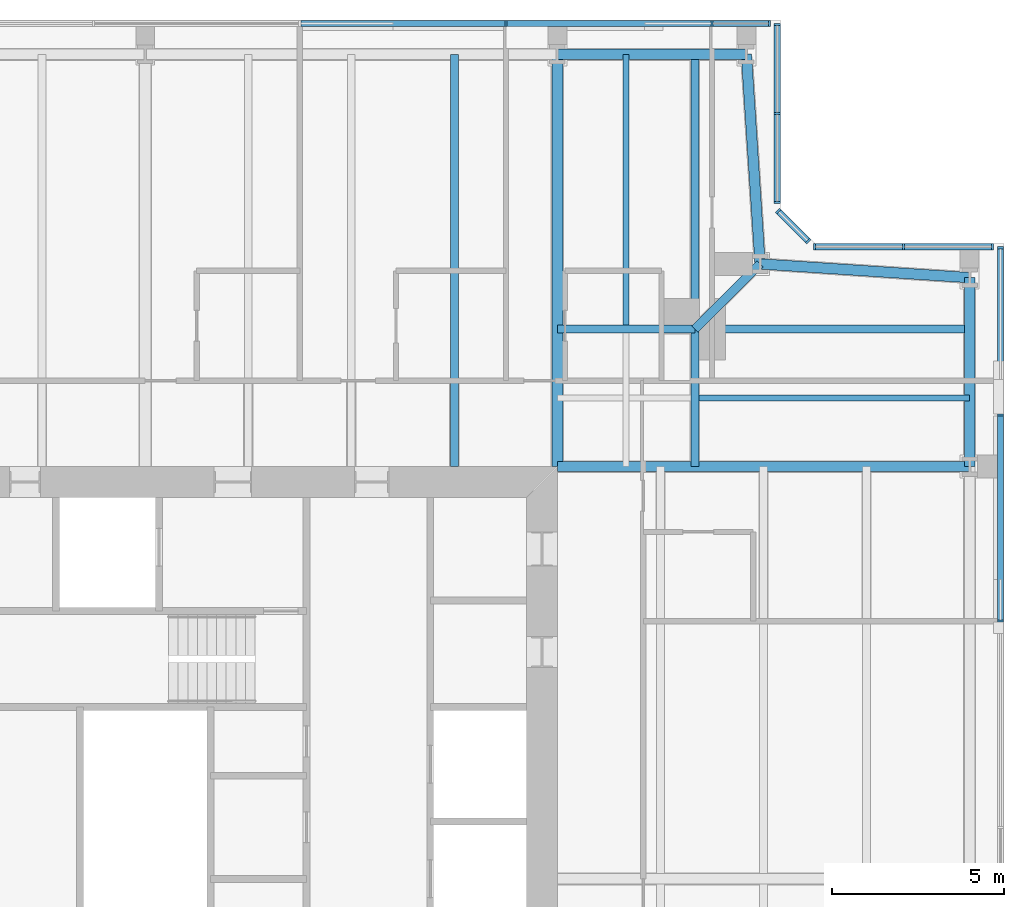
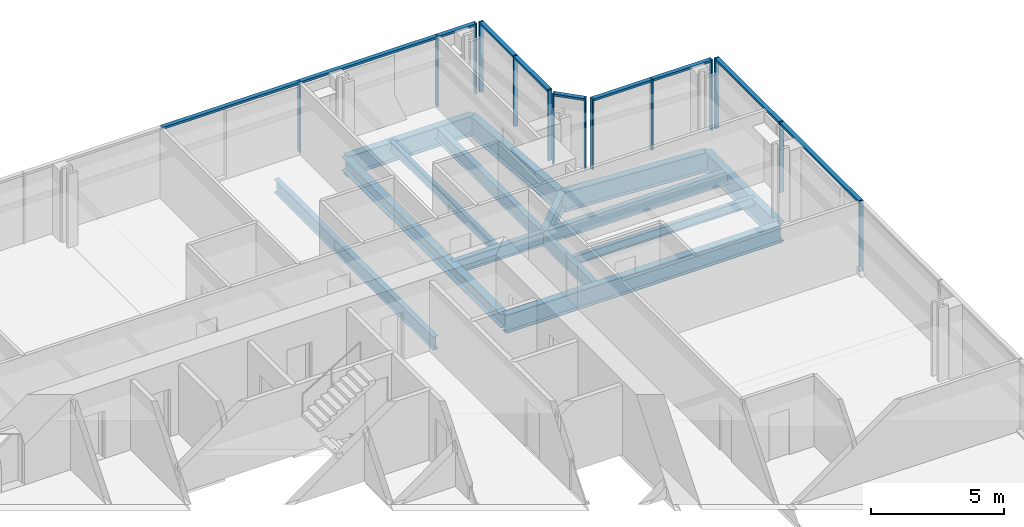
# One storey, part 9 of 18: 24 members, 14 beams, 5 elements without a shape of their own.
"""IFC4 building model written with IfcOpenShell, lengths in metres."""

from ifc_helpers import new_model, si_unit, direction, frame, origin, origin_2d, place, context, subcontext, project, spatial, rectangle, i_section, extrude, material, material_profile, profile_set, type_object, element, aggregate, save


model = new_model("IFC4")

# Units and contexts
model_context = context("Model", 3, precision=1e-05, world=origin(), true_north=direction((0.0, 1.0)))
body_context = subcontext(model_context, "Body", "Model", "MODEL_VIEW")
ifc_project = project(units=[si_unit("LENGTHUNIT", "METRE"), si_unit("AREAUNIT", "SQUARE_METRE"), si_unit("VOLUMEUNIT", "CUBIC_METRE"), si_unit("PLANEANGLEUNIT", "RADIAN"), si_unit("MASSUNIT", "GRAM", prefix="KILO")], contexts=[model_context])

# Site, building, storey
site_placement = place(None, origin())
site = spatial("IfcSite", under=ifc_project, at=site_placement, CompositionType="ELEMENT")
building_placement = place(site_placement, origin())
building = spatial("IfcBuilding", under=site, at=building_placement, Name="Fenwick Lantern Interchange", CompositionType="ELEMENT")
storey_placement = place(building_placement, frame((0.0, 0.0, 266.199951171875)))
storey = spatial("IfcBuildingStorey", under=building, at=storey_placement, Name="L63", CompositionType="ELEMENT", Elevation=266.199951171875)

# Beams
ifc_material_1 = material(Name="Steel ASTM A992 Grade 50", Category="steel")
ifc_material_profile_1 = material_profile(ifc_material_1, i_section(OverallWidth=0.3046875, OverallDepth=0.911865234375, WebThickness=0.015869140625, FlangeThickness=0.02392578125, at=origin_2d()), Name="W36X150")
ifc_profile_set_1 = profile_set([ifc_material_profile_1], Name="Steel ASTM A992 Grade 50")
beam_type_1 = type_object("IfcBeamType", Name="EDGE BEAM W36X150", PredefinedType="SPANDREL", material=ifc_profile_set_1)
beam_1_placement = place(storey_placement, frame((49.0, 37.0, -0.60595703125), z_axis=(0.0, 1.0, 0.0), x_axis=(-1.0, 0.0, 0.0)))
element("IfcBeam", 1, at=beam_1_placement, inside=storey, type_object=beam_type_1, Name="L63/FR/E/EB4", PredefinedType="SPANDREL", context=body_context, shape_type="SweptSolid", body=[
    extrude(i_section(OverallWidth=0.3046875, OverallDepth=0.911865234375, WebThickness=0.015869140625, FlangeThickness=0.02392578125, at=origin_2d()), origin(), (0.0, 0.0, 1.0), 5.5),
])
for number, where, z_axis, x_axis, name in (
    (2, (49.0, 42.5, -0.60595703125), (-0.997858060337, 0.065416293237, 0.0), (-0.065416293237, -0.997858060337, 0.0), "L63/FR/E/EBR1"),
    (3, (42.89990234375, 42.89990234375, -0.60595703125), (-0.065416293237, 0.997858060337, 0.0), (-0.997858060337, -0.065416293237, 0.0), "L63/FR/E/EBR2"),
):
    element("IfcBeam", number, at=place(storey_placement, frame(where, z_axis=z_axis, x_axis=x_axis)), inside=storey, type_object=beam_type_1, Name=name, PredefinedType="SPANDREL", context=body_context, shape_type="SweptSolid", body=[
        extrude(i_section(OverallWidth=0.3046875, OverallDepth=0.911865234375, WebThickness=0.015869140625, FlangeThickness=0.02392578125, at=origin_2d()), origin(), (0.0, 0.0, 1.0), 6.11328125),
    ])
beam_2_placement = place(storey_placement, frame((42.5, 49.0, -0.60595703125), z_axis=(-1.0, 0.0, 0.0), x_axis=(0.0, -1.0, 0.0)))
element("IfcBeam", 4, at=beam_2_placement, inside=storey, type_object=beam_type_1, Name="L63/FR/N/EB1", PredefinedType="SPANDREL", context=body_context, shape_type="SweptSolid", body=[
    extrude(i_section(OverallWidth=0.3046875, OverallDepth=0.911865234375, WebThickness=0.015869140625, FlangeThickness=0.02392578125, at=origin_2d()), origin(), (0.0, 0.0, 1.0), 5.5),
])
ifc_material_profile_2 = material_profile(ifc_material_1, i_section(OverallWidth=0.22900390625, OverallDepth=0.612060546875, WebThickness=0.011962890625, FlangeThickness=0.01953125, at=origin_2d()), Name="W24X84")
ifc_profile_set_2 = profile_set([ifc_material_profile_2], Name="Steel ASTM A992 Grade 50")
beam_type_2 = type_object("IfcBeamType", Name="FLOOR BEAM W24X84", PredefinedType="BEAM", material=ifc_profile_set_2)
beam_3_placement = place(storey_placement, frame((34.0, 49.0, -0.4560546875), z_axis=(0.0, -1.0, 0.0), x_axis=(1.0, 0.0, 0.0)))
element("IfcBeam", 5, at=beam_3_placement, inside=storey, type_object=beam_type_2, Name="L63/FR/N/R02", PredefinedType="BEAM", context=body_context, shape_type="SweptSolid", body=[
    extrude(i_section(OverallWidth=0.22900390625, OverallDepth=0.612060546875, WebThickness=0.011962890625, FlangeThickness=0.01953125, at=origin_2d()), origin(), (0.0, 0.0, 1.0), 12.0),
])

# Curtain wall, members
ifc_material_2 = material(Name="Aluminium curtain wall frame", Category="aluminium")
curtain_wall_type = type_object("IfcCurtainWallType", Name="HOTEL CURTAIN WALL", PredefinedType="USERDEFINED", material=ifc_material_2)
curtain_wall_1_placement = place(storey_placement, origin())
curtain_wall_1 = element("IfcCurtainWall", 6, at=curtain_wall_1_placement, inside=storey, type_object=curtain_wall_type, Name="Hotel curtain wall 05", ObjectType="HOTEL CURTAIN WALL", PredefinedType="USERDEFINED")
ifc_material_3 = material(Name="Aluminium extrusion", Category="aluminium")
ifc_material_profile_3 = material_profile(ifc_material_3, rectangle(XDim=0.179931640625, YDim=0.06005859375, at=origin_2d()), Name="HOTEL CURTAIN WALL MULLION 60 X 180")
ifc_profile_set_3 = profile_set([ifc_material_profile_3], Name="Aluminium extrusion")
member_type_1 = type_object("IfcMemberType", Name="HOTEL CURTAIN WALL MULLION 60 X 180", PredefinedType="MULLION", material=ifc_profile_set_3)
member_1_placement = place(storey_placement, frame((49.89990234375, 32.5, 0.0), z_axis=(0.0, 0.0, 1.0), x_axis=(-1.0, 0.0, 0.0)))
member_1 = element("IfcMember", 7, at=member_1_placement, type_object=member_type_1, Name="L63/CW/05/M05", PredefinedType="MULLION", context=body_context, shape_type="SweptSolid", body=[
    extrude(rectangle(XDim=0.179931640625, YDim=0.06005859375, at=origin_2d()), origin(), (0.0, 0.0, 1.0), 3.25),
])
member_2_placement = place(storey_placement, frame((49.89990234375, 38.5, 0.0), z_axis=(0.0, 0.0, 1.0), x_axis=(-1.0, 0.0, 0.0)))
member_2 = element("IfcMember", 8, at=member_2_placement, type_object=member_type_1, Name="L63/CW/05/M06", PredefinedType="MULLION", context=body_context, shape_type="SweptSolid", body=[
    extrude(rectangle(XDim=0.179931640625, YDim=0.06005859375, at=origin_2d()), origin(), (0.0, 0.0, 1.0), 3.25),
])
member_3_placement = place(storey_placement, frame((49.89990234375, 43.3701171875, 0.0), z_axis=(0.0, 0.0, 1.0), x_axis=(-1.0, 0.0, 0.0)))
member_3 = element("IfcMember", 9, at=member_3_placement, type_object=member_type_1, Name="L63/CW/05/M07", PredefinedType="MULLION", context=body_context, shape_type="SweptSolid", body=[
    extrude(rectangle(XDim=0.179931640625, YDim=0.06005859375, at=origin_2d()), origin(), (0.0, 0.0, 1.0), 3.25),
])

curtain_wall_2_placement = place(storey_placement, origin())
curtain_wall_2 = element("IfcCurtainWall", 10, at=curtain_wall_2_placement, inside=storey, type_object=curtain_wall_type, Name="Hotel curtain wall 06", ObjectType="HOTEL CURTAIN WALL", PredefinedType="USERDEFINED")
member_4_placement = place(storey_placement, frame((49.669921875, 43.39990234375, 0.0), z_axis=(0.0, 0.0, 1.0), x_axis=(0.0, -1.0, 0.0)))
member_4 = element("IfcMember", 11, at=member_4_placement, type_object=member_type_1, Name="L63/CW/06/M00", PredefinedType="MULLION", context=body_context, shape_type="SweptSolid", body=[
    extrude(rectangle(XDim=0.179931640625, YDim=0.06005859375, at=origin_2d()), origin(), (0.0, 0.0, 1.0), 3.25),
])
member_5_placement = place(storey_placement, frame((47.079345703125, 43.39990234375, 0.0), z_axis=(0.0, 0.0, 1.0), x_axis=(0.0, -1.0, 0.0)))
member_5 = element("IfcMember", 12, at=member_5_placement, type_object=member_type_1, Name="L63/CW/06/M01", PredefinedType="MULLION", context=body_context, shape_type="SweptSolid", body=[
    extrude(rectangle(XDim=0.179931640625, YDim=0.06005859375, at=origin_2d()), origin(), (0.0, 0.0, 1.0), 3.25),
])
member_6_placement = place(storey_placement, frame((44.488525390625, 43.39990234375, 0.0), z_axis=(0.0, 0.0, 1.0), x_axis=(0.0, -1.0, 0.0)))
member_6 = element("IfcMember", 13, at=member_6_placement, type_object=member_type_1, Name="L63/CW/06/M02", PredefinedType="MULLION", context=body_context, shape_type="SweptSolid", body=[
    extrude(rectangle(XDim=0.179931640625, YDim=0.06005859375, at=origin_2d()), origin(), (0.0, 0.0, 1.0), 3.25),
])

curtain_wall_3_placement = place(storey_placement, origin())
curtain_wall_3 = element("IfcCurtainWall", 14, at=curtain_wall_3_placement, inside=storey, type_object=curtain_wall_type, Name="Hotel curtain wall 07", ObjectType="HOTEL CURTAIN WALL", PredefinedType="USERDEFINED")
member_7_placement = place(storey_placement, frame((44.2958984375, 43.562744140625, 0.0), z_axis=(0.0, 0.0, 1.0), x_axis=(-0.707106781187, -0.707106781187, 0.0)))
member_7 = element("IfcMember", 15, at=member_7_placement, type_object=member_type_1, Name="L63/CW/07/M00", PredefinedType="MULLION", context=body_context, shape_type="SweptSolid", body=[
    extrude(rectangle(XDim=0.179931640625, YDim=0.06005859375, at=origin_2d()), origin(), (0.0, 0.0, 1.0), 3.25),
])
member_8_placement = place(storey_placement, frame((43.421142578125, 44.437255859375, 0.0), z_axis=(0.0, 0.0, 1.0), x_axis=(-0.707106781187, -0.707106781187, 0.0)))
member_8 = element("IfcMember", 16, at=member_8_placement, type_object=member_type_1, Name="L63/CW/07/M01", PredefinedType="MULLION", context=body_context, shape_type="SweptSolid", body=[
    extrude(rectangle(XDim=0.179931640625, YDim=0.06005859375, at=origin_2d()), origin(), (0.0, 0.0, 1.0), 3.25),
])

curtain_wall_4_placement = place(storey_placement, origin())
curtain_wall_4 = element("IfcCurtainWall", 17, at=curtain_wall_4_placement, inside=storey, type_object=curtain_wall_type, Name="Hotel curtain wall 08", ObjectType="HOTEL CURTAIN WALL", PredefinedType="USERDEFINED")
member_9_placement = place(storey_placement, frame((43.39990234375, 44.6884765625, 0.0), z_axis=(0.0, 0.0, 1.0), x_axis=(-1.0, 0.0, 0.0)))
member_9 = element("IfcMember", 18, at=member_9_placement, type_object=member_type_1, Name="L63/CW/08/M00", PredefinedType="MULLION", context=body_context, shape_type="SweptSolid", body=[
    extrude(rectangle(XDim=0.179931640625, YDim=0.06005859375, at=origin_2d()), origin(), (0.0, 0.0, 1.0), 3.25),
])
member_10_placement = place(storey_placement, frame((43.39990234375, 47.279296875, 0.0), z_axis=(0.0, 0.0, 1.0), x_axis=(-1.0, 0.0, 0.0)))
member_10 = element("IfcMember", 19, at=member_10_placement, type_object=member_type_1, Name="L63/CW/08/M01", PredefinedType="MULLION", context=body_context, shape_type="SweptSolid", body=[
    extrude(rectangle(XDim=0.179931640625, YDim=0.06005859375, at=origin_2d()), origin(), (0.0, 0.0, 1.0), 3.25),
])
member_11_placement = place(storey_placement, frame((43.39990234375, 49.8701171875, 0.0), z_axis=(0.0, 0.0, 1.0), x_axis=(-1.0, 0.0, 0.0)))
member_11 = element("IfcMember", 20, at=member_11_placement, type_object=member_type_1, Name="L63/CW/08/M02", PredefinedType="MULLION", context=body_context, shape_type="SweptSolid", body=[
    extrude(rectangle(XDim=0.179931640625, YDim=0.06005859375, at=origin_2d()), origin(), (0.0, 0.0, 1.0), 3.25),
])

curtain_wall_5_placement = place(storey_placement, origin())
curtain_wall_5 = element("IfcCurtainWall", 21, at=curtain_wall_5_placement, inside=storey, type_object=curtain_wall_type, Name="Hotel curtain wall 09", ObjectType="HOTEL CURTAIN WALL", PredefinedType="USERDEFINED")
member_12_placement = place(storey_placement, frame((43.169921875, 49.89990234375, 0.0), z_axis=(0.0, 0.0, 1.0), x_axis=(0.0, -1.0, 0.0)))
member_12 = element("IfcMember", 22, at=member_12_placement, type_object=member_type_1, Name="L63/CW/09/M00", PredefinedType="MULLION", context=body_context, shape_type="SweptSolid", body=[
    extrude(rectangle(XDim=0.179931640625, YDim=0.06005859375, at=origin_2d()), origin(), (0.0, 0.0, 1.0), 3.25),
])
member_13_placement = place(storey_placement, frame((41.5, 49.89990234375, 0.0), z_axis=(0.0, 0.0, 1.0), x_axis=(0.0, -1.0, 0.0)))
member_13 = element("IfcMember", 23, at=member_13_placement, type_object=member_type_1, Name="L63/CW/09/M01", PredefinedType="MULLION", context=body_context, shape_type="SweptSolid", body=[
    extrude(rectangle(XDim=0.179931640625, YDim=0.06005859375, at=origin_2d()), origin(), (0.0, 0.0, 1.0), 3.25),
])
member_14_placement = place(storey_placement, frame((35.5, 49.89990234375, 0.0), z_axis=(0.0, 0.0, 1.0), x_axis=(0.0, -1.0, 0.0)))
member_14 = element("IfcMember", 24, at=member_14_placement, type_object=member_type_1, Name="L63/CW/09/M02", PredefinedType="MULLION", context=body_context, shape_type="SweptSolid", body=[
    extrude(rectangle(XDim=0.179931640625, YDim=0.06005859375, at=origin_2d()), origin(), (0.0, 0.0, 1.0), 3.25),
])

# Member
ifc_material_profile_4 = material_profile(ifc_material_3, rectangle(XDim=0.179931640625, YDim=0.10009765625, at=origin_2d()), Name="HOTEL CURTAIN WALL TRANSOM 100 X 180")
ifc_profile_set_4 = profile_set([ifc_material_profile_4], Name="Aluminium extrusion")
member_type_2 = type_object("IfcMemberType", Name="HOTEL CURTAIN WALL TRANSOM 100 X 180", PredefinedType="MULLION", material=ifc_profile_set_4)
member_15_placement = place(storey_placement, frame((49.89990234375, 32.530029296875, 3.199951171875), z_axis=(0.0, 1.0, 0.0), x_axis=(-1.0, 0.0, 0.0)))
member_15 = element("IfcMember", 25, at=member_15_placement, type_object=member_type_2, Name="L63/CW/05/T05", PredefinedType="MULLION", context=body_context, shape_type="SweptSolid", body=[
    extrude(rectangle(XDim=0.179931640625, YDim=0.10009765625, at=origin_2d()), origin(), (0.0, 0.0, 1.0), 5.93994140625),
])

member_16_placement = place(storey_placement, frame((49.89990234375, 38.530029296875, 3.199951171875), z_axis=(0.0, 1.0, 0.0), x_axis=(-1.0, 0.0, 0.0)))
member_16 = element("IfcMember", 26, at=member_16_placement, type_object=member_type_2, Name="L63/CW/05/T06", PredefinedType="MULLION", context=body_context, shape_type="SweptSolid", body=[
    extrude(rectangle(XDim=0.179931640625, YDim=0.10009765625, at=origin_2d()), origin(), (0.0, 0.0, 1.0), 4.81005859375),
])

aggregate(curtain_wall_1, [member_1, member_2, member_3, member_15, member_16])

member_17_placement = place(storey_placement, frame((49.639892578125, 43.39990234375, 3.199951171875), z_axis=(-1.0, 0.0, 0.0), x_axis=(0.0, -1.0, 0.0)))
member_17 = element("IfcMember", 27, at=member_17_placement, type_object=member_type_2, Name="L63/CW/06/T00", PredefinedType="MULLION", context=body_context, shape_type="SweptSolid", body=[
    extrude(rectangle(XDim=0.179931640625, YDim=0.10009765625, at=origin_2d()), origin(), (0.0, 0.0, 1.0), 2.530517578125),
])

member_18_placement = place(storey_placement, frame((47.04931640625, 43.39990234375, 3.199951171875), z_axis=(-1.0, 0.0, 0.0), x_axis=(0.0, -1.0, 0.0)))
member_18 = element("IfcMember", 28, at=member_18_placement, type_object=member_type_2, Name="L63/CW/06/T01", PredefinedType="MULLION", context=body_context, shape_type="SweptSolid", body=[
    extrude(rectangle(XDim=0.179931640625, YDim=0.10009765625, at=origin_2d()), origin(), (0.0, 0.0, 1.0), 2.53076171875),
])

aggregate(curtain_wall_2, [member_4, member_5, member_6, member_17, member_18])

member_19_placement = place(storey_placement, frame((44.274658203125, 43.583740234375, 3.199951171875), z_axis=(-0.707003077033, 0.707210470133, 0.0), x_axis=(-0.707210470133, -0.707003077033, 0.0)))
member_19 = element("IfcMember", 29, at=member_19_placement, type_object=member_type_2, Name="L63/CW/07/T00", PredefinedType="MULLION", context=body_context, shape_type="SweptSolid", body=[
    extrude(rectangle(XDim=0.179931640625, YDim=0.10009765625, at=origin_2d()), origin(), (0.0, 0.0, 1.0), 1.17724609375),
])

aggregate(curtain_wall_3, [member_7, member_8, member_19])

member_20_placement = place(storey_placement, frame((43.39990234375, 44.718505859375, 3.199951171875), z_axis=(0.0, 1.0, 0.0), x_axis=(-1.0, 0.0, 0.0)))
member_20 = element("IfcMember", 30, at=member_20_placement, type_object=member_type_2, Name="L63/CW/08/T00", PredefinedType="MULLION", context=body_context, shape_type="SweptSolid", body=[
    extrude(rectangle(XDim=0.179931640625, YDim=0.10009765625, at=origin_2d()), origin(), (0.0, 0.0, 1.0), 2.53076171875),
])

member_21_placement = place(storey_placement, frame((43.39990234375, 47.309326171875, 3.199951171875), z_axis=(0.0, 1.0, 0.0), x_axis=(-1.0, 0.0, 0.0)))
member_21 = element("IfcMember", 31, at=member_21_placement, type_object=member_type_2, Name="L63/CW/08/T01", PredefinedType="MULLION", context=body_context, shape_type="SweptSolid", body=[
    extrude(rectangle(XDim=0.179931640625, YDim=0.10009765625, at=origin_2d()), origin(), (0.0, 0.0, 1.0), 2.53076171875),
])

aggregate(curtain_wall_4, [member_9, member_10, member_11, member_20, member_21])

member_22_placement = place(storey_placement, frame((43.139892578125, 49.89990234375, 3.199951171875), z_axis=(-1.0, 0.0, 0.0), x_axis=(0.0, -1.0, 0.0)))
member_22 = element("IfcMember", 32, at=member_22_placement, type_object=member_type_2, Name="L63/CW/09/T00", PredefinedType="MULLION", context=body_context, shape_type="SweptSolid", body=[
    extrude(rectangle(XDim=0.179931640625, YDim=0.10009765625, at=origin_2d()), origin(), (0.0, 0.0, 1.0), 1.60986328125),
])

member_23_placement = place(storey_placement, frame((41.469970703125, 49.89990234375, 3.199951171875), z_axis=(-1.0, 0.0, 0.0), x_axis=(0.0, -1.0, 0.0)))
member_23 = element("IfcMember", 33, at=member_23_placement, type_object=member_type_2, Name="L63/CW/09/T01", PredefinedType="MULLION", context=body_context, shape_type="SweptSolid", body=[
    extrude(rectangle(XDim=0.179931640625, YDim=0.10009765625, at=origin_2d()), origin(), (0.0, 0.0, 1.0), 5.93994140625),
])

member_24_placement = place(storey_placement, frame((35.469970703125, 49.89990234375, 3.199951171875), z_axis=(-1.0, 0.0, 0.0), x_axis=(0.0, -1.0, 0.0)))
member_24 = element("IfcMember", 34, at=member_24_placement, type_object=member_type_2, Name="L63/CW/09/T02", PredefinedType="MULLION", context=body_context, shape_type="SweptSolid", body=[
    extrude(rectangle(XDim=0.179931640625, YDim=0.10009765625, at=origin_2d()), origin(), (0.0, 0.0, 1.0), 5.93994140625),
])

aggregate(curtain_wall_5, [member_12, member_13, member_14, member_22, member_23, member_24])

# Beams
ifc_material_profile_5 = material_profile(ifc_material_1, i_section(OverallWidth=0.177734375, OverallDepth=0.406494140625, WebThickness=0.0078125, FlangeThickness=0.012939453125, at=origin_2d()), Name="W16X40")
ifc_profile_set_5 = profile_set([ifc_material_profile_5], Name="Steel ASTM A992 Grade 50")
beam_type_3 = type_object("IfcBeamType", Name="INFILL BEAM W16X40", PredefinedType="JOIST", material=ifc_profile_set_5)
for number, where, z_axis, x_axis, name in (
    (35, (39.0, 49.0, -0.353271484375), (0.0, -1.0, 0.0), (1.0, 0.0, 0.0), "L63/FR/N/J1"),
    (36, (49.0, 39.0, -0.353271484375), (-1.0, 0.0, 0.0), (0.0, -1.0, 0.0), "L63/FR/N/J3"),
):
    element("IfcBeam", number, at=place(storey_placement, frame(where, z_axis=z_axis, x_axis=x_axis)), inside=storey, type_object=beam_type_3, Name=name, PredefinedType="JOIST", context=body_context, shape_type="SweptSolid", body=[
        extrude(i_section(OverallWidth=0.177734375, OverallDepth=0.406494140625, WebThickness=0.0078125, FlangeThickness=0.012939453125, at=origin_2d()), origin(), (0.0, 0.0, 1.0), 7.885498046875),
    ])
ifc_material_profile_6 = material_profile(ifc_material_1, i_section(OverallWidth=0.22900390625, OverallDepth=0.612060546875, WebThickness=0.011962890625, FlangeThickness=0.01953125, at=origin_2d()), Name="W24X84")
ifc_profile_set_6 = profile_set([ifc_material_profile_6], Name="Steel ASTM A992 Grade 50")
beam_type_4 = type_object("IfcBeamType", Name="MEGA COLUMN BEAM W24X84", PredefinedType="BEAM", material=ifc_profile_set_6)
for number, where, z_axis, x_axis, name in (
    (37, (41.0, 41.0, -0.4560546875), (0.0, 1.0, 0.0), (-1.0, 0.0, 0.0), "L63/FR/N/MB1"),
    (38, (41.0, 41.0, -0.4560546875), (1.0, 0.0, 0.0), (0.0, 1.0, 0.0), "L63/FR/N/MB2"),
):
    element("IfcBeam", number, at=place(storey_placement, frame(where, z_axis=z_axis, x_axis=x_axis)), inside=storey, type_object=beam_type_4, Name=name, PredefinedType="BEAM", context=body_context, shape_type="SweptSolid", body=[
        extrude(i_section(OverallWidth=0.22900390625, OverallDepth=0.612060546875, WebThickness=0.011962890625, FlangeThickness=0.01953125, at=origin_2d()), origin(), (0.0, 0.0, 1.0), 8.0),
    ])
for number, where, z_axis, x_axis, name in (
    (39, (41.0, 41.0, -0.4560546875), (-1.0, 0.0, 0.0), (0.0, -1.0, 0.0), "L63/FR/N/MB3"),
    (40, (41.0, 41.0, -0.4560546875), (0.0, -1.0, 0.0), (1.0, 0.0, 0.0), "L63/FR/N/MB4"),
):
    element("IfcBeam", number, at=place(storey_placement, frame(where, z_axis=z_axis, x_axis=x_axis)), inside=storey, type_object=beam_type_4, Name=name, PredefinedType="BEAM", context=body_context, shape_type="SweptSolid", body=[
        extrude(i_section(OverallWidth=0.22900390625, OverallDepth=0.612060546875, WebThickness=0.011962890625, FlangeThickness=0.01953125, at=origin_2d()), origin(), (0.0, 0.0, 1.0), 4.0),
    ])
ifc_material_profile_7 = material_profile(ifc_material_1, i_section(OverallWidth=0.32763671875, OverallDepth=0.622314453125, WebThickness=0.015380859375, FlangeThickness=0.0244140625, at=origin_2d()), Name="W24X131")
ifc_profile_set_7 = profile_set([ifc_material_profile_7], Name="Steel ASTM A992 Grade 50")
beam_type_5 = type_object("IfcBeamType", Name="MOMENT-CONNECTED GIRDER W24X131", PredefinedType="BEAM", material=ifc_profile_set_7)
beam_4_placement = place(storey_placement, frame((37.0, 49.0, -0.461181640625), z_axis=(0.0, -1.0, 0.0), x_axis=(1.0, 0.0, 0.0)))
element("IfcBeam", 41, at=beam_4_placement, inside=storey, type_object=beam_type_5, Name="L63/FR/N/R01", PredefinedType="BEAM", context=body_context, shape_type="SweptSolid", body=[
    extrude(i_section(OverallWidth=0.32763671875, OverallDepth=0.622314453125, WebThickness=0.015380859375, FlangeThickness=0.0244140625, at=origin_2d()), origin(), (0.0, 0.0, 1.0), 12.0),
])
ifc_material_profile_8 = material_profile(ifc_material_1, i_section(OverallWidth=0.2919921875, OverallDepth=0.845703125, WebThickness=0.015380859375, FlangeThickness=0.0244140625, at=origin_2d()), Name="W33X141")
ifc_profile_set_8 = profile_set([ifc_material_profile_8], Name="Steel ASTM A992 Grade 50")
beam_type_6 = type_object("IfcBeamType", Name="MOMENT-CONNECTED GIRDER W33X141", PredefinedType="BEAM", material=ifc_profile_set_8)
beam_5_placement = place(storey_placement, frame((49.0, 37.0, -0.57275390625), z_axis=(-1.0, 0.0, 0.0), x_axis=(0.0, -1.0, 0.0)))
element("IfcBeam", 42, at=beam_5_placement, inside=storey, type_object=beam_type_6, Name="L63/FR/E/R03", PredefinedType="BEAM", context=body_context, shape_type="SweptSolid", body=[
    extrude(i_section(OverallWidth=0.2919921875, OverallDepth=0.845703125, WebThickness=0.015380859375, FlangeThickness=0.0244140625, at=origin_2d()), origin(), (0.0, 0.0, 1.0), 12.0),
])
ifc_material_profile_9 = material_profile(ifc_material_1, i_section(OverallWidth=0.2666015625, OverallDepth=0.7568359375, WebThickness=0.013916015625, FlangeThickness=0.019287109375, at=origin_2d()), Name="W30X108")
ifc_profile_set_9 = profile_set([ifc_material_profile_9], Name="Steel ASTM A992 Grade 50")
beam_type_7 = type_object("IfcBeamType", Name="NOTCH BEAM W30X108", PredefinedType="BEAM", material=ifc_profile_set_9)
beam_6_placement = place(storey_placement, frame((41.0, 41.0, -0.5283203125), z_axis=(0.707106781187, 0.707106781187, 0.0), x_axis=(-0.707106781187, 0.707106781187, 0.0)))
element("IfcBeam", 43, at=beam_6_placement, inside=storey, type_object=beam_type_7, Name="L63/FR/N/TG", PredefinedType="BEAM", context=body_context, shape_type="SweptSolid", body=[
    extrude(i_section(OverallWidth=0.2666015625, OverallDepth=0.7568359375, WebThickness=0.013916015625, FlangeThickness=0.019287109375, at=origin_2d()), origin(), (0.0, 0.0, 1.0), 2.686767578125),
])

save(model, "model.ifc")
